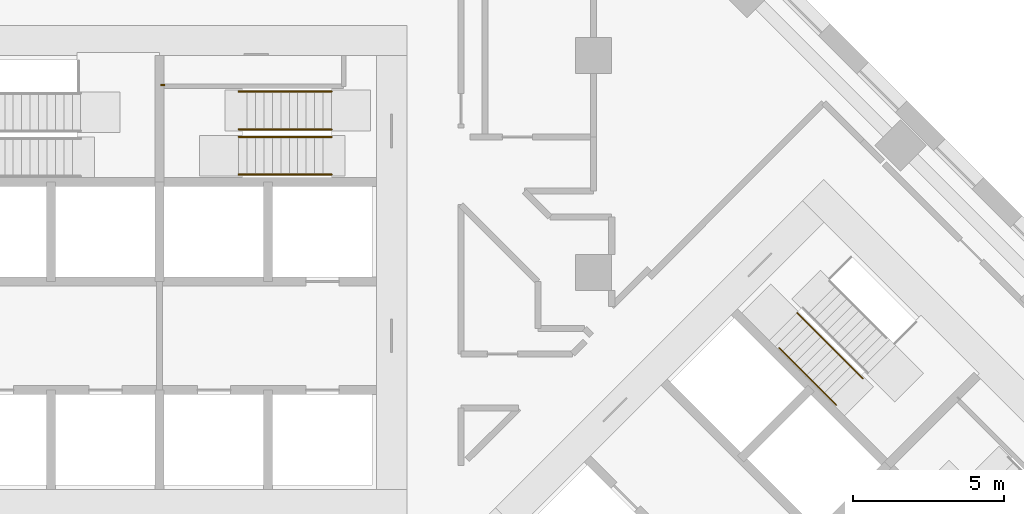
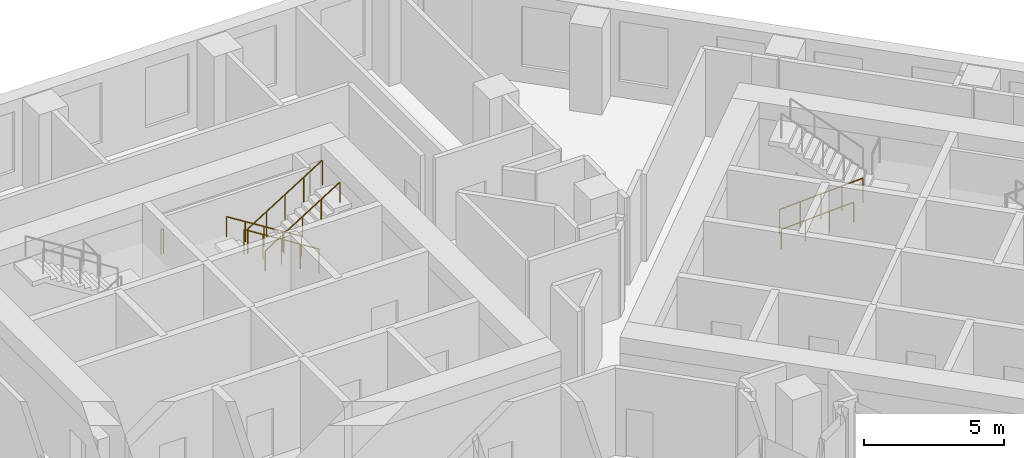
# One storey, part 12 of 13: 7 railings.
"""IFC4 building model written with IfcOpenShell, lengths in metres."""

from ifc_helpers import new_model, si_unit, direction, frame, origin, origin_2d, place, context, subcontext, project, spatial, circle, extrude, material, type_object, element, save


model = new_model("IFC4")

# Units and contexts
model_context = context("Model", 3, precision=1e-05, world=origin(), true_north=direction((0.0, 1.0)))
body_context = subcontext(model_context, "Body", "Model", "MODEL_VIEW")
ifc_project = project(units=[si_unit("LENGTHUNIT", "METRE"), si_unit("AREAUNIT", "SQUARE_METRE"), si_unit("VOLUMEUNIT", "CUBIC_METRE"), si_unit("PLANEANGLEUNIT", "RADIAN"), si_unit("MASSUNIT", "GRAM", prefix="KILO")], contexts=[model_context])

# Site, building, storey
site_placement = place(None, origin())
site = spatial("IfcSite", under=ifc_project, at=site_placement, CompositionType="ELEMENT")
building_placement = place(site_placement, origin())
building = spatial("IfcBuilding", under=site, at=building_placement, Name="Windrow Commons", CompositionType="ELEMENT")
storey_placement = place(building_placement, frame((0.0, 0.0, 14.4)))
storey = spatial("IfcBuildingStorey", under=building, at=storey_placement, Name="L03", CompositionType="ELEMENT", Elevation=14.4)

# Railings
ifc_material_1 = material(Name="Steel S355", Category="steel")
railing_type_1 = type_object("IfcRailingType", Name="Core stair guard 1100", PredefinedType="GUARDRAIL", material=ifc_material_1)
railing_1_placement = place(storey_placement, frame((70.5, 62.355, 0.175)))
element("IfcRailing", 1, at=railing_1_placement, inside=storey, type_object=railing_type_1, Name="L03 ST-A2 stair guard 1", PredefinedType="GUARDRAIL", context=body_context, shape_type="SweptSolid", body=[
    extrude(circle(Radius=0.024, at=origin_2d()), frame((0.0, 0.0, 1.076), z_axis=(-0.847998304, 0.0, 0.52999894), x_axis=(0.0, -1.0, 0.0)), (0.0, 0.0, 1.0), 3.6321),
    extrude(circle(Radius=0.021, at=origin_2d()), origin(), (0.0, 0.0, 1.0), 1.052),
    extrude(circle(Radius=0.021, at=origin_2d()), frame((-0.77, 0.0, 0.4813)), (0.0, 0.0, 1.0), 1.052),
    extrude(circle(Radius=0.021, at=origin_2d()), frame((-1.54, 0.0, 0.9625)), (0.0, 0.0, 1.0), 1.052),
    extrude(circle(Radius=0.021, at=origin_2d()), frame((-2.31, 0.0, 1.4438)), (0.0, 0.0, 1.0), 1.052),
    extrude(circle(Radius=0.021, at=origin_2d()), frame((-3.08, 0.0, 1.925)), (0.0, 0.0, 1.0), 1.052),
])
railing_2_placement = place(storey_placement, frame((67.42, 62.105, 2.275)))
element("IfcRailing", 2, at=railing_2_placement, inside=storey, type_object=railing_type_1, Name="L03 ST-A2 stair guard 2", PredefinedType="GUARDRAIL", context=body_context, shape_type="SweptSolid", body=[
    extrude(circle(Radius=0.024, at=origin_2d()), frame((0.0, 0.0, 1.076), z_axis=(0.847998304, 0.0, 0.52999894), x_axis=(0.0, 1.0, 0.0)), (0.0, 0.0, 1.0), 3.6321),
    extrude(circle(Radius=0.021, at=origin_2d()), origin(), (0.0, 0.0, 1.0), 1.052),
    extrude(circle(Radius=0.021, at=origin_2d()), frame((0.77, 0.0, 0.4813)), (0.0, 0.0, 1.0), 1.052),
    extrude(circle(Radius=0.021, at=origin_2d()), frame((1.54, 0.0, 0.9625)), (0.0, 0.0, 1.0), 1.052),
    extrude(circle(Radius=0.021, at=origin_2d()), frame((2.31, 0.0, 1.4438)), (0.0, 0.0, 1.0), 1.052),
    extrude(circle(Radius=0.021, at=origin_2d()), frame((3.08, 0.0, 1.925)), (0.0, 0.0, 1.0), 1.052),
])
railing_3_placement = place(storey_placement, frame((64.95, 63.825, 2.1)))
element("IfcRailing", 3, at=railing_3_placement, inside=storey, type_object=railing_type_1, Name="L03 ST-A2 stair guard 3", PredefinedType="GUARDRAIL", context=body_context, shape_type="SweptSolid", body=[
    extrude(circle(Radius=0.024, at=origin_2d()), frame((0.0, 0.0, 1.076), z_axis=(-1.0, 0.0, 0.0), x_axis=(0.0, -1.0, 0.0)), (0.0, 0.0, 1.0), 0.1),
    extrude(circle(Radius=0.021, at=origin_2d()), origin(), (0.0, 0.0, 1.0), 1.052),
    extrude(circle(Radius=0.021, at=origin_2d()), frame((-0.1, 0.0, 0.0)), (0.0, 0.0, 1.0), 1.052),
])
railing_4_placement = place(storey_placement, frame((85.9529, 56.2669, 0.175)))
element("IfcRailing", 4, at=railing_4_placement, inside=storey, type_object=railing_type_1, Name="L03 ST-B1 stair guard 1", PredefinedType="GUARDRAIL", context=body_context, shape_type="SweptSolid", body=[
    extrude(circle(Radius=0.024, at=origin_2d()), frame((0.0, 0.0, 1.076), z_axis=(0.5996262107, -0.5996262107, 0.5299969951), x_axis=(0.7071067812, 0.7071067812, 0.0)), (0.0, 0.0, 1.0), 3.6321),
    extrude(circle(Radius=0.021, at=origin_2d()), origin(), (0.0, 0.0, 1.0), 1.052),
    extrude(circle(Radius=0.021, at=origin_2d()), frame((0.5445, -0.5445, 0.4813)), (0.0, 0.0, 1.0), 1.052),
    extrude(circle(Radius=0.021, at=origin_2d()), frame((1.0889, -1.089, 0.9625)), (0.0, 0.0, 1.0), 1.052),
    extrude(circle(Radius=0.021, at=origin_2d()), frame((1.6334, -1.6334, 1.4438)), (0.0, 0.0, 1.0), 1.052),
    extrude(circle(Radius=0.021, at=origin_2d()), frame((2.1779, -2.1779, 1.925)), (0.0, 0.0, 1.0), 1.052),
])
ifc_material_2 = material(Name="Steel S355", Category="steel")
railing_type_2 = type_object("IfcRailingType", Name="Core stair handrail 900", PredefinedType="HANDRAIL", material=ifc_material_2)
railing_5_placement = place(storey_placement, frame((70.5, 63.605, 0.175)))
element("IfcRailing", 5, at=railing_5_placement, inside=storey, type_object=railing_type_2, Name="L03 ST-A2 stair handrail 1", PredefinedType="HANDRAIL", context=body_context, shape_type="SweptSolid", body=[
    extrude(circle(Radius=0.024, at=origin_2d()), frame((0.0, 0.0, 0.876), z_axis=(-0.847998304, 0.0, 0.52999894), x_axis=(0.0, -1.0, 0.0)), (0.0, 0.0, 1.0), 3.6321),
    extrude(circle(Radius=0.021, at=origin_2d()), origin(), (0.0, 0.0, 1.0), 0.852),
    extrude(circle(Radius=0.021, at=origin_2d()), frame((-0.77, 0.0, 0.4813)), (0.0, 0.0, 1.0), 0.852),
    extrude(circle(Radius=0.021, at=origin_2d()), frame((-1.54, 0.0, 0.9625)), (0.0, 0.0, 1.0), 0.852),
    extrude(circle(Radius=0.021, at=origin_2d()), frame((-2.31, 0.0, 1.4438)), (0.0, 0.0, 1.0), 0.852),
    extrude(circle(Radius=0.021, at=origin_2d()), frame((-3.08, 0.0, 1.925)), (0.0, 0.0, 1.0), 0.852),
])
railing_6_placement = place(storey_placement, frame((67.42, 60.855, 2.275)))
element("IfcRailing", 6, at=railing_6_placement, inside=storey, type_object=railing_type_2, Name="L03 ST-A2 stair handrail 2", PredefinedType="HANDRAIL", context=body_context, shape_type="SweptSolid", body=[
    extrude(circle(Radius=0.024, at=origin_2d()), frame((0.0, 0.0, 0.876), z_axis=(0.847998304, 0.0, 0.52999894), x_axis=(0.0, 1.0, 0.0)), (0.0, 0.0, 1.0), 3.6321),
    extrude(circle(Radius=0.021, at=origin_2d()), origin(), (0.0, 0.0, 1.0), 0.852),
    extrude(circle(Radius=0.021, at=origin_2d()), frame((0.77, 0.0, 0.4813)), (0.0, 0.0, 1.0), 0.852),
    extrude(circle(Radius=0.021, at=origin_2d()), frame((1.54, 0.0, 0.9625)), (0.0, 0.0, 1.0), 0.852),
    extrude(circle(Radius=0.021, at=origin_2d()), frame((2.31, 0.0, 1.4438)), (0.0, 0.0, 1.0), 0.852),
    extrude(circle(Radius=0.021, at=origin_2d()), frame((3.08, 0.0, 1.925)), (0.0, 0.0, 1.0), 0.852),
])
railing_7_placement = place(storey_placement, frame((85.3518, 55.1001, 0.425)))
element("IfcRailing", 7, at=railing_7_placement, inside=storey, type_object=railing_type_2, Name="L03 ST-B1 stair handrail 1", PredefinedType="HANDRAIL", context=body_context, shape_type="SweptSolid", body=[
    extrude(circle(Radius=0.024, at=origin_2d()), frame((0.0, 0.0, 0.876), z_axis=(0.599641512, -0.5996098703, 0.5299981703), x_axis=(0.7070881243, 0.7071254376, 0.0)), (0.0, 0.0, 1.0), 3.1604),
    extrude(circle(Radius=0.021, at=origin_2d()), origin(), (0.0, 0.0, 1.0), 0.852),
    extrude(circle(Radius=0.021, at=origin_2d()), frame((0.6317, -0.6317, 0.5583)), (0.0, 0.0, 1.0), 0.852),
    extrude(circle(Radius=0.021, at=origin_2d()), frame((1.2634, -1.2633, 1.1167)), (0.0, 0.0, 1.0), 0.852),
    extrude(circle(Radius=0.021, at=origin_2d()), frame((1.8951, -1.895, 1.675)), (0.0, 0.0, 1.0), 0.852),
])

save(model, "model.ifc")
